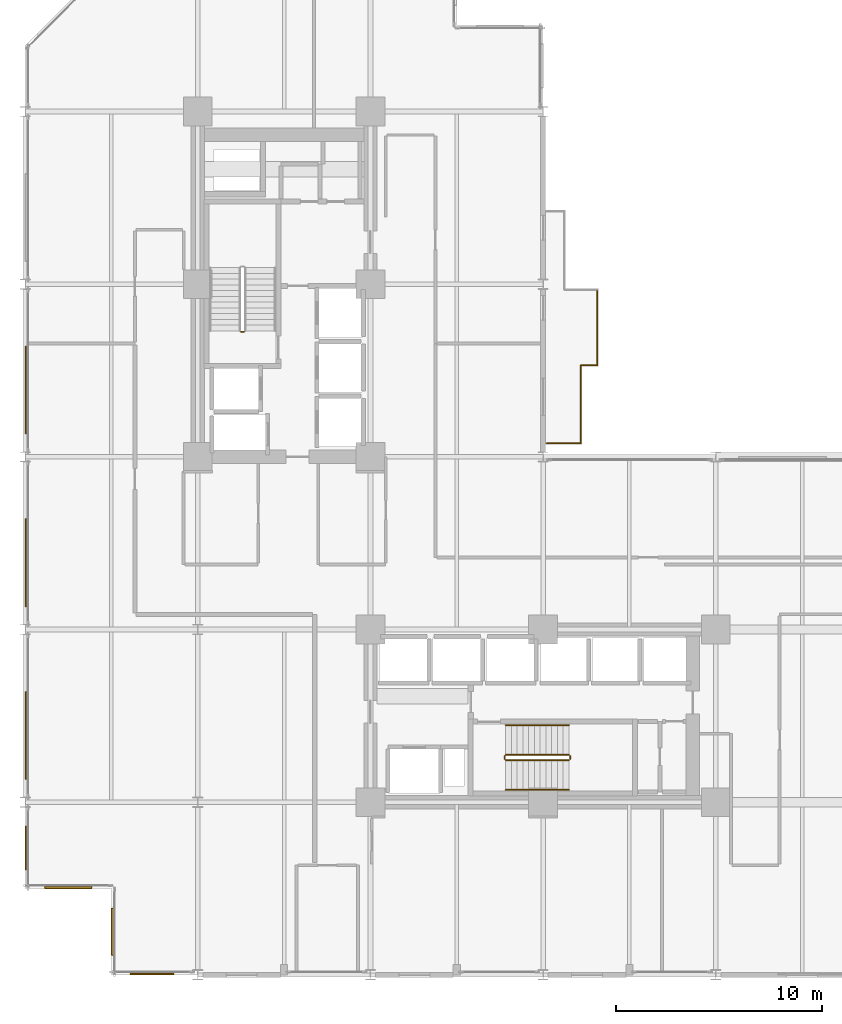
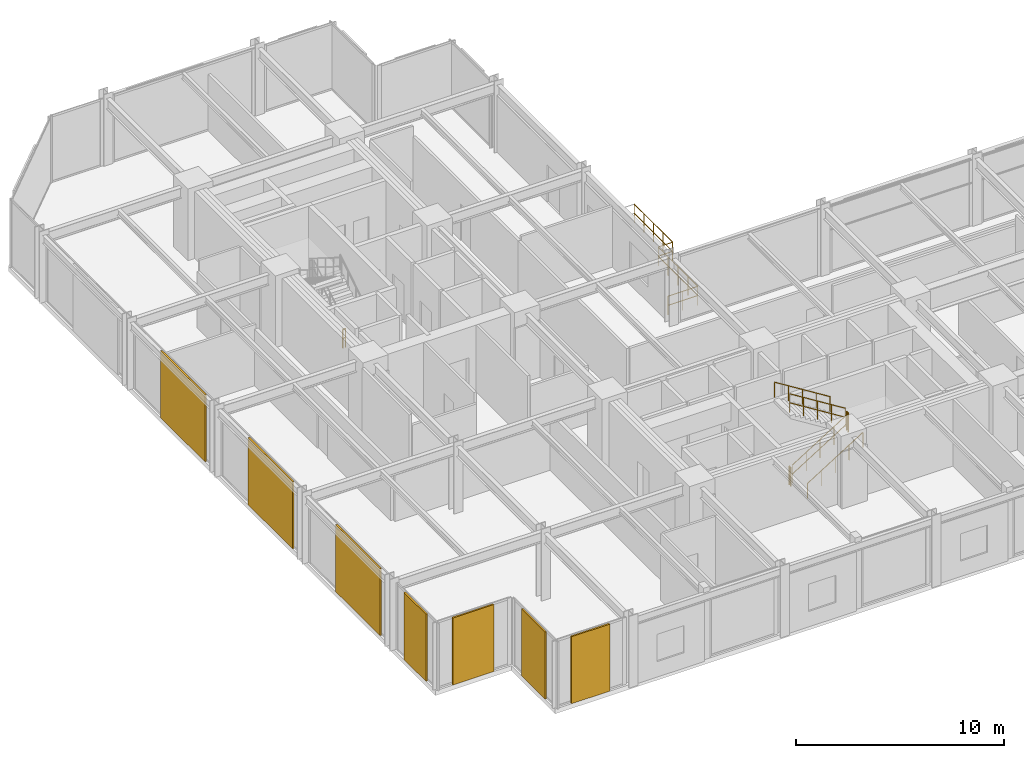
# One storey, part 23 of 25: 11 railings, 7 coverings.
"""IFC4 building model written with IfcOpenShell, lengths in metres."""

from ifc_helpers import new_model, si_unit, direction, frame, origin, origin_2d, place, context, subcontext, project, spatial, rectangle, circle, extrude, material, layer, layer_set, type_object, element, save


model = new_model("IFC4")

# Units and contexts
model_context = context("Model", 3, precision=1e-05, world=origin(), true_north=direction((0.0, 1.0)))
body_context = subcontext(model_context, "Body", "Model", "MODEL_VIEW")
ifc_project = project(units=[si_unit("LENGTHUNIT", "METRE"), si_unit("AREAUNIT", "SQUARE_METRE"), si_unit("VOLUMEUNIT", "CUBIC_METRE"), si_unit("PLANEANGLEUNIT", "RADIAN"), si_unit("MASSUNIT", "GRAM", prefix="KILO")], contexts=[model_context])

# Site, building, storey
site_placement = place(None, origin())
site = spatial("IfcSite", under=ifc_project, at=site_placement, CompositionType="ELEMENT")
building_placement = place(site_placement, origin())
building = spatial("IfcBuilding", under=site, at=building_placement, Name="Nerrivon Quay Data Exchange", CompositionType="ELEMENT")
storey_placement = place(building_placement, frame((0.0, 0.0, 58.39990234375)))
storey = spatial("IfcBuildingStorey", under=building, at=storey_placement, Name="L13", CompositionType="ELEMENT", Elevation=58.39990234375)

# Coverings
ifc_material_1 = material(Name="Architectural terracotta ceramic", Category="masonry")
ifc_layer = layer(ifc_material_1, 0.090087890625)
ifc_layer_set = layer_set([ifc_layer], Name="Architectural terracotta ceramic")
covering_type = type_object("IfcCoveringType", Name="COV-SCR-TERR", PredefinedType="CLADDING", material=ifc_layer_set)
covering_1_placement = place(storey_placement, frame((6.175048828125, 0.044921875, 0.0), z_axis=(0.0, 0.0, 1.0), x_axis=(-1.0, 0.0, 0.0)))
element("IfcCovering", 1, at=covering_1_placement, inside=storey, type_object=covering_type, Name="L13 Perforated Terracotta SOLAR SCREEN Cassette", PredefinedType="CLADDING", context=body_context, shape_type="SweptSolid", body=[
    extrude(rectangle(XDim=2.133056640625, YDim=0.090087890625, at=origin_2d()), origin(), (0.0, 0.0, 1.0), 3.925048828125),
])
for number, where, z_axis, x_axis, name in (
    (2, (4.2451171875, 2.10009765625, 0.0), (0.0, 0.0, 1.0), (0.0, 1.0, 0.0), "L13 Perforated Terracotta SOLAR SCREEN Cassette"),
    (3, (2.10009765625, 4.2451171875, 0.0), (0.0, 0.0, 1.0), (-1.0, 0.0, 0.0), "L13 Perforated Terracotta SOLAR SCREEN Cassette"),
):
    element("IfcCovering", number, at=place(storey_placement, frame(where, z_axis=z_axis, x_axis=x_axis)), inside=storey, type_object=covering_type, Name=name, PredefinedType="CLADDING", context=body_context, shape_type="SweptSolid", body=[
        extrude(rectangle(XDim=2.26806640625, YDim=0.090087890625, at=origin_2d()), origin(), (0.0, 0.0, 1.0), 3.925048828125),
    ])
covering_2_placement = place(storey_placement, frame((0.044921875, 6.175048828125, 0.0), z_axis=(0.0, 0.0, 1.0), x_axis=(0.0, 1.0, 0.0)))
element("IfcCovering", 4, at=covering_2_placement, inside=storey, type_object=covering_type, Name="L13 Perforated Terracotta SOLAR SCREEN Cassette", PredefinedType="CLADDING", context=body_context, shape_type="SweptSolid", body=[
    extrude(rectangle(XDim=2.133056640625, YDim=0.090087890625, at=origin_2d()), origin(), (0.0, 0.0, 1.0), 3.925048828125),
])
for number, where, z_axis, x_axis, name in (
    (5, (0.044921875, 11.652099609375, 0.0), (0.0, 0.0, 1.0), (0.0, 1.0, 0.0), "L13 Perforated Terracotta SOLAR SCREEN Cassette"),
    (6, (0.044921875, 20.052001953125, 0.0), (0.0, 0.0, 1.0), (0.0, 1.0, 0.0), "L13 Perforated Terracotta SOLAR SCREEN Cassette"),
    (7, (0.044921875, 28.451904296875, 0.0), (0.0, 0.0, 1.0), (0.0, 1.0, 0.0), "L13 Perforated Terracotta SOLAR SCREEN Cassette"),
):
    element("IfcCovering", number, at=place(storey_placement, frame(where, z_axis=z_axis, x_axis=x_axis)), inside=storey, type_object=covering_type, Name=name, PredefinedType="CLADDING", context=body_context, shape_type="SweptSolid", body=[
        extrude(rectangle(XDim=4.26611328125, YDim=0.090087890625, at=origin_2d()), origin(), (0.0, 0.0, 1.0), 3.925048828125),
    ])

# Railings
ifc_material_2 = material(Name="Steel Grade C350L0 (350 MPa)", Category="steel")
railing_type_1 = type_object("IfcRailingType", Name="RAIL-GUARD-GR2", PredefinedType="BALUSTRADE", material=ifc_material_2)
railing_1_placement = place(storey_placement, frame((27.0400390625, 29.659912109375, 0.0)))
element("IfcRailing", 8, at=railing_1_placement, inside=storey, type_object=railing_type_1, Name="L13 Verandah Balcony Guard 1.1 1", PredefinedType="BALUSTRADE", context=body_context, shape_type="SweptSolid", body=[
    extrude(circle(Radius=0.02392578125, at=origin_2d()), frame((0.0, 0.0, 1.09619140625), z_axis=(0.0, -1.0, 0.0), x_axis=(1.0, 0.0, 0.0)), (0.0, 0.0, 1.0), 3.7998046875),
    extrude(circle(Radius=0.02392578125, at=origin_2d()), frame((0.0, 0.0, 0.56005859375), z_axis=(0.0, -1.0, 0.0), x_axis=(1.0, 0.0, 0.0)), (0.0, 0.0, 1.0), 3.7998046875),
    extrude(circle(Radius=0.02099609375, at=origin_2d()), origin(), (0.0, 0.0, 1.0), 1.072021484375),
    extrude(circle(Radius=0.02099609375, at=origin_2d()), frame((0.0, -0.949951171875, 0.0)), (0.0, 0.0, 1.0), 1.072021484375),
    extrude(circle(Radius=0.02099609375, at=origin_2d()), frame((0.0, -1.89990234375, 0.0)), (0.0, 0.0, 1.0), 1.072021484375),
    extrude(circle(Radius=0.02099609375, at=origin_2d()), frame((0.0, -2.849853515625, 0.0)), (0.0, 0.0, 1.0), 1.072021484375),
    extrude(circle(Radius=0.02099609375, at=origin_2d()), frame((0.0, -3.7998046875, 0.0)), (0.0, 0.0, 1.0), 1.072021484375),
])
railing_2_placement = place(storey_placement, frame((27.0400390625, 25.860107421875, 0.0)))
element("IfcRailing", 9, at=railing_2_placement, inside=storey, type_object=railing_type_1, Name="L13 Verandah Balcony Guard 1.2 1", PredefinedType="BALUSTRADE", context=body_context, shape_type="SweptSolid", body=[
    extrude(circle(Radius=0.02392578125, at=origin_2d()), frame((0.0, 0.0, 1.09619140625), z_axis=(-1.0, 0.0, 0.0), x_axis=(0.0, -1.0, 0.0)), (0.0, 0.0, 1.0), 1.66015625),
    extrude(circle(Radius=0.02392578125, at=origin_2d()), frame((0.0, 0.0, 0.56005859375), z_axis=(-1.0, 0.0, 0.0), x_axis=(0.0, -1.0, 0.0)), (0.0, 0.0, 1.0), 1.66015625),
    extrude(circle(Radius=0.02099609375, at=origin_2d()), origin(), (0.0, 0.0, 1.0), 1.072021484375),
    extrude(circle(Radius=0.02099609375, at=origin_2d()), frame((-0.830078125, 0.0, 0.0)), (0.0, 0.0, 1.0), 1.072021484375),
    extrude(circle(Radius=0.02099609375, at=origin_2d()), frame((-1.66015625, 0.0, 0.0)), (0.0, 0.0, 1.0), 1.072021484375),
])
railing_3_placement = place(storey_placement, frame((27.840087890625, 33.340087890625, 0.0)))
element("IfcRailing", 10, at=railing_3_placement, inside=storey, type_object=railing_type_1, Name="L13 Verandah Balcony Guard 1.6 1", PredefinedType="BALUSTRADE", context=body_context, shape_type="SweptSolid", body=[
    extrude(circle(Radius=0.02392578125, at=origin_2d()), frame((0.0, 0.0, 1.09619140625), z_axis=(0.0, -1.0, 0.0), x_axis=(1.0, 0.0, 0.0)), (0.0, 0.0, 1.0), 3.68017578125),
    extrude(circle(Radius=0.02392578125, at=origin_2d()), frame((0.0, 0.0, 0.56005859375), z_axis=(0.0, -1.0, 0.0), x_axis=(1.0, 0.0, 0.0)), (0.0, 0.0, 1.0), 3.68017578125),
    extrude(circle(Radius=0.02099609375, at=origin_2d()), origin(), (0.0, 0.0, 1.0), 1.072021484375),
    extrude(circle(Radius=0.02099609375, at=origin_2d()), frame((0.0, -0.919921875, 0.0)), (0.0, 0.0, 1.0), 1.072021484375),
    extrude(circle(Radius=0.02099609375, at=origin_2d()), frame((0.0, -1.840087890625, 0.0)), (0.0, 0.0, 1.0), 1.072021484375),
    extrude(circle(Radius=0.02099609375, at=origin_2d()), frame((0.0, -2.76025390625, 0.0)), (0.0, 0.0, 1.0), 1.072021484375),
    extrude(circle(Radius=0.02099609375, at=origin_2d()), frame((0.0, -3.68017578125, 0.0)), (0.0, 0.0, 1.0), 1.072021484375),
])
railing_4_placement = place(storey_placement, frame((27.840087890625, 29.659912109375, 0.0)))
element("IfcRailing", 11, at=railing_4_placement, inside=storey, type_object=railing_type_1, Name="L13 Verandah Balcony Guard 1.7 1", PredefinedType="BALUSTRADE", context=body_context, shape_type="SweptSolid", body=[
    extrude(circle(Radius=0.02392578125, at=origin_2d()), frame((0.0, 0.0, 1.09619140625), z_axis=(-1.0, 0.0, 0.0), x_axis=(0.0, -1.0, 0.0)), (0.0, 0.0, 1.0), 0.800048828125),
    extrude(circle(Radius=0.02392578125, at=origin_2d()), frame((0.0, 0.0, 0.56005859375), z_axis=(-1.0, 0.0, 0.0), x_axis=(0.0, -1.0, 0.0)), (0.0, 0.0, 1.0), 0.800048828125),
    extrude(circle(Radius=0.02099609375, at=origin_2d()), origin(), (0.0, 0.0, 1.0), 1.072021484375),
    extrude(circle(Radius=0.02099609375, at=origin_2d()), frame((-0.800048828125, 0.0, 0.0)), (0.0, 0.0, 1.0), 1.072021484375),
])
railing_type_2 = type_object("IfcRailingType", Name="RAIL-HAND-HR1", PredefinedType="HANDRAIL", material=ifc_material_2)
railing_5_placement = place(storey_placement, frame((23.3798828125, 9.0, 0.175048828125)))
element("IfcRailing", 12, at=railing_5_placement, inside=storey, type_object=railing_type_2, Name="L13 ST02 stair handrail 1", PredefinedType="HANDRAIL", context=body_context, shape_type="SweptSolid", body=[
    extrude(circle(Radius=0.02392578125, at=origin_2d()), frame((0.0, 0.0, 0.8759765625), z_axis=(0.847998304005, 0.0, 0.529998940003), x_axis=(0.0, 1.0, 0.0)), (0.0, 0.0, 1.0), 3.632080078125),
    extrude(circle(Radius=0.02099609375, at=origin_2d()), origin(), (0.0, 0.0, 1.0), 0.851806640625),
    extrude(circle(Radius=0.02099609375, at=origin_2d()), frame((0.77001953125, 0.0, 0.481201171875)), (0.0, 0.0, 1.0), 0.851806640625),
    extrude(circle(Radius=0.02099609375, at=origin_2d()), frame((1.5400390625, 0.0, 0.96240234375)), (0.0, 0.0, 1.0), 0.851806640625),
    extrude(circle(Radius=0.02099609375, at=origin_2d()), frame((2.31005859375, 0.0, 1.44384765625)), (0.0, 0.0, 1.0), 0.851806640625),
    extrude(circle(Radius=0.02099609375, at=origin_2d()), frame((3.080078125, 0.0, 1.925048828125)), (0.0, 0.0, 1.0), 0.851806640625),
])
railing_6_placement = place(storey_placement, frame((26.4599609375, 12.14990234375, 2.275146484375)))
element("IfcRailing", 13, at=railing_6_placement, inside=storey, type_object=railing_type_2, Name="L13 ST02 stair handrail 2", PredefinedType="HANDRAIL", context=body_context, shape_type="SweptSolid", body=[
    extrude(circle(Radius=0.02392578125, at=origin_2d()), frame((0.0, 0.0, 0.8759765625), z_axis=(-0.847998304005, 0.0, 0.529998940003), x_axis=(0.0, -1.0, 0.0)), (0.0, 0.0, 1.0), 3.632080078125),
    extrude(circle(Radius=0.02099609375, at=origin_2d()), origin(), (0.0, 0.0, 1.0), 0.851806640625),
    extrude(circle(Radius=0.02099609375, at=origin_2d()), frame((-0.77001953125, 0.0, 0.481201171875)), (0.0, 0.0, 1.0), 0.851806640625),
    extrude(circle(Radius=0.02099609375, at=origin_2d()), frame((-1.5400390625, 0.0, 0.96240234375)), (0.0, 0.0, 1.0), 0.851806640625),
    extrude(circle(Radius=0.02099609375, at=origin_2d()), frame((-2.31005859375, 0.0, 1.44384765625)), (0.0, 0.0, 1.0), 0.851806640625),
    extrude(circle(Radius=0.02099609375, at=origin_2d()), frame((-3.080078125, 0.0, 1.925048828125)), (0.0, 0.0, 1.0), 0.851806640625),
])
railing_type_3 = type_object("IfcRailingType", Name="RAIL-STAIR-GR1", PredefinedType="BALUSTRADE", material=ifc_material_2)
railing_7_placement = place(storey_placement, frame((10.64990234375, 31.280029296875, 0.0)))
element("IfcRailing", 14, at=railing_7_placement, inside=storey, type_object=railing_type_3, Name="L13 ST01 stair guard 4", PredefinedType="BALUSTRADE", context=body_context, shape_type="SweptSolid", body=[
    extrude(circle(Radius=0.02392578125, at=origin_2d()), frame((0.0, 0.0, 1.076171875), z_axis=(-1.0, 0.0, 0.0), x_axis=(0.0, -1.0, 0.0)), (0.0, 0.0, 1.0), 0.14990234375),
    extrude(circle(Radius=0.02392578125, at=origin_2d()), frame((0.0, 0.0, 0.550048828125), z_axis=(-1.0, 0.0, 0.0), x_axis=(0.0, -1.0, 0.0)), (0.0, 0.0, 1.0), 0.14990234375),
    extrude(circle(Radius=0.02099609375, at=origin_2d()), origin(), (0.0, 0.0, 1.0), 1.052001953125),
    extrude(circle(Radius=0.02099609375, at=origin_2d()), frame((-0.14990234375, 0.0, 0.0)), (0.0, 0.0, 1.0), 1.052001953125),
])
railing_8_placement = place(storey_placement, frame((23.3798828125, 10.449951171875, 0.175048828125)))
element("IfcRailing", 15, at=railing_8_placement, inside=storey, type_object=railing_type_3, Name="L13 ST02 stair guard 1", PredefinedType="BALUSTRADE", context=body_context, shape_type="SweptSolid", body=[
    extrude(circle(Radius=0.02392578125, at=origin_2d()), frame((0.0, 0.0, 1.076171875), z_axis=(0.847998304005, 0.0, 0.529998940003), x_axis=(0.0, 1.0, 0.0)), (0.0, 0.0, 1.0), 3.632080078125),
    extrude(circle(Radius=0.02392578125, at=origin_2d()), frame((0.0, 0.0, 0.550048828125), z_axis=(0.847998304005, 0.0, 0.529998940003), x_axis=(0.0, 1.0, 0.0)), (0.0, 0.0, 1.0), 3.632080078125),
    extrude(circle(Radius=0.02099609375, at=origin_2d()), origin(), (0.0, 0.0, 1.0), 1.052001953125),
    extrude(circle(Radius=0.02099609375, at=origin_2d()), frame((0.77001953125, 0.0, 0.481201171875)), (0.0, 0.0, 1.0), 1.052001953125),
    extrude(circle(Radius=0.02099609375, at=origin_2d()), frame((1.5400390625, 0.0, 0.96240234375)), (0.0, 0.0, 1.0), 1.052001953125),
    extrude(circle(Radius=0.02099609375, at=origin_2d()), frame((2.31005859375, 0.0, 1.44384765625)), (0.0, 0.0, 1.0), 1.052001953125),
    extrude(circle(Radius=0.02099609375, at=origin_2d()), frame((3.080078125, 0.0, 1.925048828125)), (0.0, 0.0, 1.0), 1.052001953125),
])
railing_9_placement = place(storey_placement, frame((26.510009765625, 10.5, 2.10009765625)))
element("IfcRailing", 16, at=railing_9_placement, inside=storey, type_object=railing_type_3, Name="L13 ST02 stair guard 2", PredefinedType="BALUSTRADE", context=body_context, shape_type="SweptSolid", body=[
    extrude(circle(Radius=0.02392578125, at=origin_2d()), frame((0.0, 0.0, 1.076171875), z_axis=(0.0, 1.0, 0.0), x_axis=(-1.0, 0.0, 0.0)), (0.0, 0.0, 1.0), 0.14990234375),
    extrude(circle(Radius=0.02392578125, at=origin_2d()), frame((0.0, 0.0, 0.550048828125), z_axis=(0.0, 1.0, 0.0), x_axis=(-1.0, 0.0, 0.0)), (0.0, 0.0, 1.0), 0.14990234375),
    extrude(circle(Radius=0.02099609375, at=origin_2d()), origin(), (0.0, 0.0, 1.0), 1.052001953125),
    extrude(circle(Radius=0.02099609375, at=origin_2d()), frame((0.0, 0.14990234375, 0.0)), (0.0, 0.0, 1.0), 1.052001953125),
])
railing_10_placement = place(storey_placement, frame((26.4599609375, 10.699951171875, 2.275146484375)))
element("IfcRailing", 17, at=railing_10_placement, inside=storey, type_object=railing_type_3, Name="L13 ST02 stair guard 3", PredefinedType="BALUSTRADE", context=body_context, shape_type="SweptSolid", body=[
    extrude(circle(Radius=0.02392578125, at=origin_2d()), frame((0.0, 0.0, 1.076171875), z_axis=(-0.847998304005, 0.0, 0.529998940003), x_axis=(0.0, -1.0, 0.0)), (0.0, 0.0, 1.0), 3.632080078125),
    extrude(circle(Radius=0.02392578125, at=origin_2d()), frame((0.0, 0.0, 0.550048828125), z_axis=(-0.847998304005, 0.0, 0.529998940003), x_axis=(0.0, -1.0, 0.0)), (0.0, 0.0, 1.0), 3.632080078125),
    extrude(circle(Radius=0.02099609375, at=origin_2d()), origin(), (0.0, 0.0, 1.0), 1.052001953125),
    extrude(circle(Radius=0.02099609375, at=origin_2d()), frame((-0.77001953125, 0.0, 0.481201171875)), (0.0, 0.0, 1.0), 1.052001953125),
    extrude(circle(Radius=0.02099609375, at=origin_2d()), frame((-1.5400390625, 0.0, 0.96240234375)), (0.0, 0.0, 1.0), 1.052001953125),
    extrude(circle(Radius=0.02099609375, at=origin_2d()), frame((-2.31005859375, 0.0, 1.44384765625)), (0.0, 0.0, 1.0), 1.052001953125),
    extrude(circle(Radius=0.02099609375, at=origin_2d()), frame((-3.080078125, 0.0, 1.925048828125)), (0.0, 0.0, 1.0), 1.052001953125),
])
railing_11_placement = place(storey_placement, frame((23.330078125, 10.5, 0.0)))
element("IfcRailing", 18, at=railing_11_placement, inside=storey, type_object=railing_type_3, Name="L13 ST02 stair guard 4", PredefinedType="BALUSTRADE", context=body_context, shape_type="SweptSolid", body=[
    extrude(circle(Radius=0.02392578125, at=origin_2d()), frame((0.0, 0.0, 1.076171875), z_axis=(0.0, 1.0, 0.0), x_axis=(-1.0, 0.0, 0.0)), (0.0, 0.0, 1.0), 0.14990234375),
    extrude(circle(Radius=0.02392578125, at=origin_2d()), frame((0.0, 0.0, 0.550048828125), z_axis=(0.0, 1.0, 0.0), x_axis=(-1.0, 0.0, 0.0)), (0.0, 0.0, 1.0), 0.14990234375),
    extrude(circle(Radius=0.02099609375, at=origin_2d()), origin(), (0.0, 0.0, 1.0), 1.052001953125),
    extrude(circle(Radius=0.02099609375, at=origin_2d()), frame((0.0, 0.14990234375, 0.0)), (0.0, 0.0, 1.0), 1.052001953125),
])

save(model, "model.ifc")
